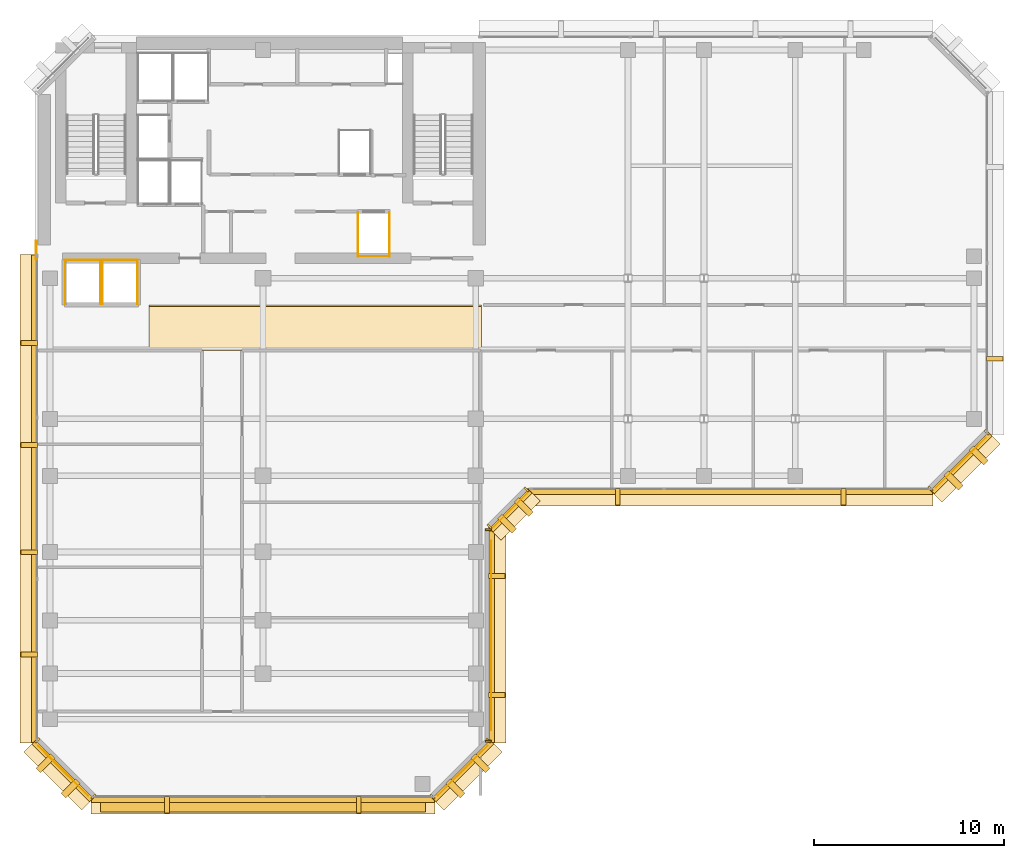
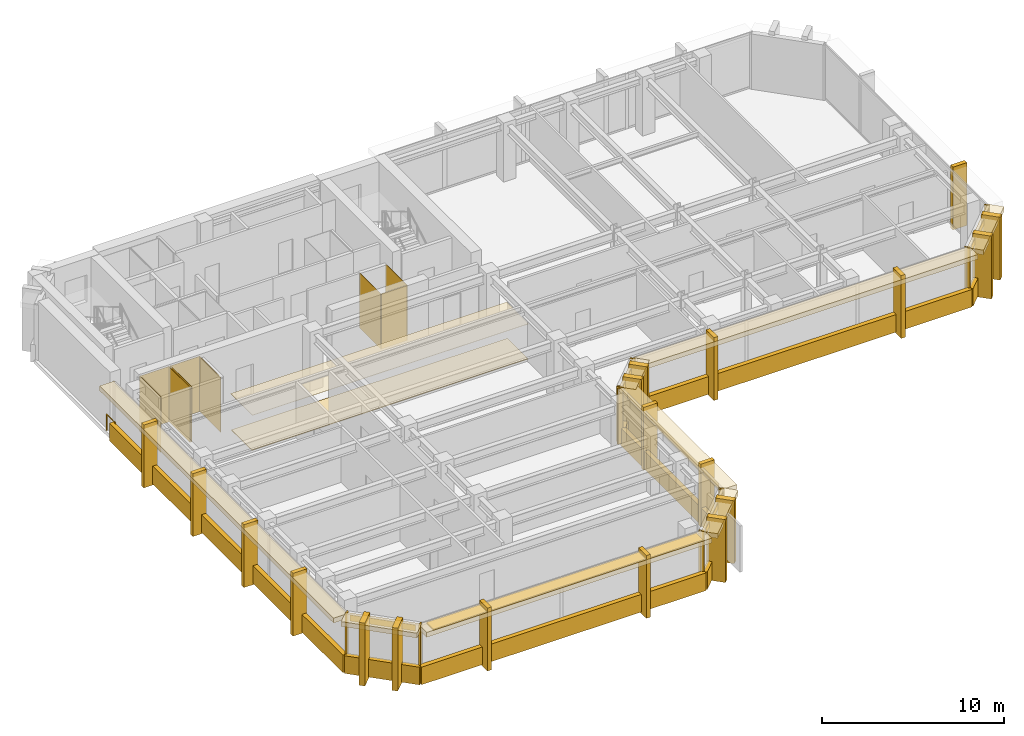
# One storey, part 9 of 12: 61 coverings, 1 railing, 1 shading device.
"""IFC4 building model written with IfcOpenShell, lengths in metres."""

from ifc_helpers import new_model, si_unit, direction, frame, origin, origin_2d, place, context, subcontext, project, spatial, polyline, rectangle, circle, outline, extrude, material, layer, layer_set, type_object, element, save


model = new_model("IFC4")

# Units and contexts
model_context = context("Model", 3, precision=1e-05, world=origin(), true_north=direction((0.0, 1.0)))
body_context = subcontext(model_context, "Body", "Model", "MODEL_VIEW")
ifc_project = project(units=[si_unit("LENGTHUNIT", "METRE"), si_unit("AREAUNIT", "SQUARE_METRE"), si_unit("VOLUMEUNIT", "CUBIC_METRE"), si_unit("PLANEANGLEUNIT", "RADIAN"), si_unit("MASSUNIT", "GRAM", prefix="KILO")], contexts=[model_context])

# Site, building, storey
site_placement = place(None, origin())
site = spatial("IfcSite", under=ifc_project, at=site_placement, CompositionType="ELEMENT")
building_placement = place(site_placement, origin())
building = spatial("IfcBuilding", under=site, at=building_placement, Name="Kefirva Bronze Tower", CompositionType="ELEMENT")
storey_placement = place(building_placement, frame((0.0, 0.0, 260.3701171875)))
storey = spatial("IfcBuildingStorey", under=building, at=storey_placement, Name="L63", CompositionType="ELEMENT", Elevation=260.3701171875)

# Coverings
ifc_material_1 = material(Name="Acoustic mineral tile")
ifc_layer_1 = layer(ifc_material_1, 0.02490234375, Name="Acoustic mineral tile")
ifc_layer_set_1 = layer_set([ifc_layer_1], Name="Acoustic mineral tile")
covering_type_1 = type_object("IfcCoveringType", Name="Acoustic Mineral Suspended Ceiling 25mm", PredefinedType="CEILING", material=ifc_layer_set_1)
covering_1_placement = place(storey_placement, frame((0.0, 0.0, 2.39990234375)))
element("IfcCovering", 1, at=covering_1_placement, inside=storey, type_object=covering_type_1, Name="L63 Corridor Acoustic Ceiling", PredefinedType="CEILING", context=body_context, shape_type="SweptSolid", body=[
    extrude(outline(polyline([(6.0, 29.39990234375), (23.5, 29.39990234375), (23.5, 31.800048828125), (6.0, 31.800048828125), (6.0, 29.39990234375)])), origin(), (0.0, 0.0, 1.0), 0.02490234375),
])
ifc_material_2 = material(Name="Bronze anodised aluminium", Category="aluminium")
ifc_layer_2 = layer(ifc_material_2, 0.02001953125, Name="Bronze anodised aluminium")
ifc_layer_set_2 = layer_set([ifc_layer_2], Name="Bronze anodised aluminium")
covering_type_2 = type_object("IfcCoveringType", Name="Anodised Bronze Spandrel Cladding 20mm", PredefinedType="CLADDING", material=ifc_layer_set_2)
covering_2_placement = place(storey_placement, frame((12.0, 5.760009765625, -0.16015625), z_axis=(0.0, 0.0, 1.0), x_axis=(1.0, 0.0, 0.0)))
element("IfcCovering", 2, at=covering_2_placement, inside=storey, type_object=covering_type_2, Name="L63 Streamline Horizontal Spandrel Band 0", PredefinedType="CLADDING", context=body_context, shape_type="SweptSolid", body=[
    extrude(rectangle(XDim=18.0400390625, YDim=0.280029296875, at=origin_2d()), origin(), (0.0, 0.0, 1.0), 1.179931640625),
])
covering_3_placement = place(storey_placement, frame((22.507080078125, 7.29296875, 3.2900390625), z_axis=(0.0, 0.0, 1.0), x_axis=(0.707106781187, 0.707106781187, 0.0)))
element("IfcCovering", 3, at=covering_3_placement, inside=storey, type_object=covering_type_2, Name="L63 Bronze Spandrel Cladding 1", PredefinedType="CLADDING", context=body_context, shape_type="SweptSolid", body=[
    extrude(rectangle(XDim=3.719482421875, YDim=0.02001953125, at=origin_2d()), origin(), (0.0, 0.0, 1.0), 0.39990234375),
])
for number, where, z_axis, x_axis, name in (
    (4, (20.91162109375, 5.93798828125, 0.0), (0.0, 0.0, 1.0), (0.707106781187, 0.707106781187, 0.0), "L63 Facade Joint Closure Panel 1S"),
    (5, (23.862060546875, 8.88818359375, 0.0), (0.0, 0.0, 1.0), (0.707106781187, 0.707106781187, 0.0), "L63 Facade Joint Closure Panel 1E"),
):
    element("IfcCovering", number, at=place(storey_placement, frame(where, z_axis=z_axis, x_axis=x_axis)), inside=storey, type_object=covering_type_2, Name=name, PredefinedType="CLADDING", context=body_context, shape_type="SweptSolid", body=[
        extrude(rectangle(XDim=0.10009765625, YDim=0.320068359375, at=origin_2d()), origin(), (0.0, 0.0, 1.0), 3.7099609375),
    ])
covering_4_placement = place(storey_placement, frame((22.5283203125, 7.271728515625, -0.16015625), z_axis=(0.0, 0.0, 1.0), x_axis=(0.707106781187, 0.707106781187, 0.0)))
element("IfcCovering", 6, at=covering_4_placement, inside=storey, type_object=covering_type_2, Name="L63 Streamline Horizontal Spandrel Band 1", PredefinedType="CLADDING", context=body_context, shape_type="SweptSolid", body=[
    extrude(rectangle(XDim=4.28271484375, YDim=0.280029296875, at=origin_2d()), origin(), (0.0, 0.0, 1.0), 1.179931640625),
])
covering_5_placement = place(storey_placement, frame((24.010009765625, 14.39990234375, 3.2900390625), z_axis=(0.0, 0.0, 1.0), x_axis=(0.0, 1.0, 0.0)))
element("IfcCovering", 7, at=covering_5_placement, inside=storey, type_object=covering_type_2, Name="L63 Bronze Spandrel Cladding 2", PredefinedType="CLADDING", context=body_context, shape_type="SweptSolid", body=[
    extrude(rectangle(XDim=9.98095703125, YDim=0.02001953125, at=origin_2d()), origin(), (0.0, 0.0, 1.0), 0.39990234375),
])
for number, where, z_axis, x_axis, name in (
    (8, (23.840087890625, 8.8349609375, 0.0), (0.0, 0.0, 1.0), (0.0, 1.0, 0.0), "L63 Facade Joint Closure Panel 2S"),
    (9, (23.840087890625, 19.965087890625, 0.0), (0.0, 0.0, 1.0), (0.0, 1.0, 0.0), "L63 Facade Joint Closure Panel 2E"),
):
    element("IfcCovering", number, at=place(storey_placement, frame(where, z_axis=z_axis, x_axis=x_axis)), inside=storey, type_object=covering_type_2, Name=name, PredefinedType="CLADDING", context=body_context, shape_type="SweptSolid", body=[
        extrude(rectangle(XDim=0.10009765625, YDim=0.320068359375, at=origin_2d()), origin(), (0.0, 0.0, 1.0), 3.7099609375),
    ])
covering_6_placement = place(storey_placement, frame((24.0400390625, 14.39990234375, -0.16015625), z_axis=(0.0, 0.0, 1.0), x_axis=(0.0, 1.0, 0.0)))
element("IfcCovering", 10, at=covering_6_placement, inside=storey, type_object=covering_type_2, Name="L63 Streamline Horizontal Spandrel Band 2", PredefinedType="CLADDING", context=body_context, shape_type="SweptSolid", body=[
    extrude(rectangle(XDim=11.239990234375, YDim=0.280029296875, at=origin_2d()), origin(), (0.0, 0.0, 1.0), 1.179931640625),
])
covering_7_placement = place(storey_placement, frame((25.007080078125, 20.992919921875, 3.2900390625), z_axis=(0.0, 0.0, 1.0), x_axis=(0.707106781187, 0.707106781187, 0.0)))
element("IfcCovering", 11, at=covering_7_placement, inside=storey, type_object=covering_type_2, Name="L63 Bronze Spandrel Cladding 3", PredefinedType="CLADDING", context=body_context, shape_type="SweptSolid", body=[
    extrude(rectangle(XDim=2.446533203125, YDim=0.02001953125, at=origin_2d()), origin(), (0.0, 0.0, 1.0), 0.39990234375),
])
for number, where, z_axis, x_axis, name in (
    (12, (23.91162109375, 20.137939453125, 0.0), (0.0, 0.0, 1.0), (0.707106781187, 0.707106781187, 0.0), "L63 Facade Joint Closure Panel 3S"),
    (13, (25.862060546875, 22.08837890625, 0.0), (0.0, 0.0, 1.0), (0.707106781187, 0.707106781187, 0.0), "L63 Facade Joint Closure Panel 3E"),
):
    element("IfcCovering", number, at=place(storey_placement, frame(where, z_axis=z_axis, x_axis=x_axis)), inside=storey, type_object=covering_type_2, Name=name, PredefinedType="CLADDING", context=body_context, shape_type="SweptSolid", body=[
        extrude(rectangle(XDim=0.10009765625, YDim=0.320068359375, at=origin_2d()), origin(), (0.0, 0.0, 1.0), 3.7099609375),
    ])
covering_8_placement = place(storey_placement, frame((25.0283203125, 20.9716796875, -0.16015625), z_axis=(0.0, 0.0, 1.0), x_axis=(0.707106781187, 0.707106781187, 0.0)))
element("IfcCovering", 14, at=covering_8_placement, inside=storey, type_object=covering_type_2, Name="L63 Streamline Horizontal Spandrel Band 3", PredefinedType="CLADDING", context=body_context, shape_type="SweptSolid", body=[
    extrude(rectangle(XDim=2.868408203125, YDim=0.280029296875, at=origin_2d()), origin(), (0.0, 0.0, 1.0), 1.179931640625),
])
covering_9_placement = place(storey_placement, frame((36.60009765625, 21.9599609375, -0.16015625), z_axis=(0.0, 0.0, 1.0), x_axis=(1.0, 0.0, 0.0)))
element("IfcCovering", 15, at=covering_9_placement, inside=storey, type_object=covering_type_2, Name="L63 Streamline Horizontal Spandrel Band 4", PredefinedType="CLADDING", context=body_context, shape_type="SweptSolid", body=[
    extrude(rectangle(XDim=21.239990234375, YDim=0.280029296875, at=origin_2d()), origin(), (0.0, 0.0, 1.0), 1.179931640625),
])
covering_10_placement = place(storey_placement, frame((48.70703125, 23.492919921875, 3.2900390625), z_axis=(0.0, 0.0, 1.0), x_axis=(0.707106781187, 0.707106781187, 0.0)))
element("IfcCovering", 16, at=covering_10_placement, inside=storey, type_object=covering_type_2, Name="L63 Bronze Spandrel Cladding 4", PredefinedType="CLADDING", context=body_context, shape_type="SweptSolid", body=[
    extrude(rectangle(XDim=3.719482421875, YDim=0.02001953125, at=origin_2d()), origin(), (0.0, 0.0, 1.0), 0.39990234375),
])
for number, where, z_axis, x_axis, name in (
    (17, (47.11181640625, 22.137939453125, 0.0), (0.0, 0.0, 1.0), (0.707106781187, 0.707106781187, 0.0), "L63 Facade Joint Closure Panel 4S"),
    (18, (50.06201171875, 25.08837890625, 0.0), (0.0, 0.0, 1.0), (0.707106781187, 0.707106781187, 0.0), "L63 Facade Joint Closure Panel 4E"),
):
    element("IfcCovering", number, at=place(storey_placement, frame(where, z_axis=z_axis, x_axis=x_axis)), inside=storey, type_object=covering_type_2, Name=name, PredefinedType="CLADDING", context=body_context, shape_type="SweptSolid", body=[
        extrude(rectangle(XDim=0.10009765625, YDim=0.320068359375, at=origin_2d()), origin(), (0.0, 0.0, 1.0), 3.7099609375),
    ])
covering_11_placement = place(storey_placement, frame((48.728271484375, 23.4716796875, -0.16015625), z_axis=(0.0, 0.0, 1.0), x_axis=(0.707106781187, 0.707106781187, 0.0)))
element("IfcCovering", 19, at=covering_11_placement, inside=storey, type_object=covering_type_2, Name="L63 Streamline Horizontal Spandrel Band 5", PredefinedType="CLADDING", context=body_context, shape_type="SweptSolid", body=[
    extrude(rectangle(XDim=4.28271484375, YDim=0.280029296875, at=origin_2d()), origin(), (0.0, 0.0, 1.0), 1.179931640625),
])
covering_12_placement = place(storey_placement, frame((-0.0400390625, 21.597412109375, -0.16015625), z_axis=(0.0, 0.0, 1.0), x_axis=(0.0, -1.0, 0.0)))
element("IfcCovering", 20, at=covering_12_placement, inside=storey, type_object=covering_type_2, Name="L63 Streamline Horizontal Spandrel Band 10", PredefinedType="CLADDING", context=body_context, shape_type="SweptSolid", body=[
    extrude(rectangle(XDim=25.635009765625, YDim=0.280029296875, at=origin_2d()), origin(), (0.0, 0.0, 1.0), 1.179931640625),
])
covering_13_placement = place(storey_placement, frame((1.492919921875, 7.29296875, 3.2900390625), z_axis=(0.0, 0.0, 1.0), x_axis=(0.707106781187, -0.707106781187, 0.0)))
element("IfcCovering", 21, at=covering_13_placement, inside=storey, type_object=covering_type_2, Name="L63 Bronze Spandrel Cladding 7", PredefinedType="CLADDING", context=body_context, shape_type="SweptSolid", body=[
    extrude(rectangle(XDim=3.719482421875, YDim=0.02001953125, at=origin_2d()), origin(), (0.0, 0.0, 1.0), 0.39990234375),
])
for number, where, z_axis, x_axis, name in (
    (22, (0.137939453125, 8.88818359375, 0.0), (0.0, 0.0, 1.0), (0.707106781187, -0.707106781187, 0.0), "L63 Facade Joint Closure Panel 7S"),
    (23, (3.08837890625, 5.93798828125, 0.0), (0.0, 0.0, 1.0), (0.707106781187, -0.707106781187, 0.0), "L63 Facade Joint Closure Panel 7E"),
):
    element("IfcCovering", number, at=place(storey_placement, frame(where, z_axis=z_axis, x_axis=x_axis)), inside=storey, type_object=covering_type_2, Name=name, PredefinedType="CLADDING", context=body_context, shape_type="SweptSolid", body=[
        extrude(rectangle(XDim=0.10009765625, YDim=0.320068359375, at=origin_2d()), origin(), (0.0, 0.0, 1.0), 3.7099609375),
    ])
covering_14_placement = place(storey_placement, frame((1.4716796875, 7.271728515625, -0.16015625), z_axis=(0.0, 0.0, 1.0), x_axis=(0.707106781187, -0.707106781187, 0.0)))
element("IfcCovering", 24, at=covering_14_placement, inside=storey, type_object=covering_type_2, Name="L63 Streamline Horizontal Spandrel Band 11", PredefinedType="CLADDING", context=body_context, shape_type="SweptSolid", body=[
    extrude(rectangle(XDim=4.28271484375, YDim=0.280029296875, at=origin_2d()), origin(), (0.0, 0.0, 1.0), 1.179931640625),
])
covering_15_placement = place(storey_placement, origin())
element("IfcCovering", 25, at=covering_15_placement, inside=storey, type_object=covering_type_2, Name="L63 Lift OB1 Hoistway Liner N", PredefinedType="CLADDING", context=body_context, shape_type="SweptSolid", body=[
    extrude(outline(polyline([(1.580078125, 34.139892578125), (3.469970703125, 34.139892578125), (3.469970703125, 34.159912109375), (1.580078125, 34.159912109375), (1.580078125, 34.139892578125)])), origin(), (0.0, 0.0, 1.0), 3.7099609375),
])
covering_16_placement = place(storey_placement, origin())
element("IfcCovering", 26, at=covering_16_placement, inside=storey, type_object=covering_type_2, Name="L63 Lift OB1 Hoistway Liner W", PredefinedType="CLADDING", context=body_context, shape_type="SweptSolid", body=[
    extrude(outline(polyline([(1.590087890625, 31.830078125), (1.610107421875, 31.830078125), (1.610107421875, 34.169921875), (1.590087890625, 34.169921875), (1.590087890625, 31.830078125)])), origin(), (0.0, 0.0, 1.0), 3.7099609375),
])
covering_17_placement = place(storey_placement, origin())
element("IfcCovering", 27, at=covering_17_placement, inside=storey, type_object=covering_type_2, Name="L63 Lift OB1 Hoistway Liner E", PredefinedType="CLADDING", context=body_context, shape_type="SweptSolid", body=[
    extrude(outline(polyline([(3.43994140625, 31.830078125), (3.4599609375, 31.830078125), (3.4599609375, 34.169921875), (3.43994140625, 34.169921875), (3.43994140625, 31.830078125)])), origin(), (0.0, 0.0, 1.0), 3.7099609375),
])
covering_18_placement = place(storey_placement, origin())
element("IfcCovering", 28, at=covering_18_placement, inside=storey, type_object=covering_type_2, Name="L63 Lift OB2 Hoistway Liner N", PredefinedType="CLADDING", context=body_context, shape_type="SweptSolid", body=[
    extrude(outline(polyline([(3.530029296875, 34.139892578125), (5.419921875, 34.139892578125), (5.419921875, 34.159912109375), (3.530029296875, 34.159912109375), (3.530029296875, 34.139892578125)])), origin(), (0.0, 0.0, 1.0), 3.7099609375),
])
covering_19_placement = place(storey_placement, origin())
element("IfcCovering", 29, at=covering_19_placement, inside=storey, type_object=covering_type_2, Name="L63 Lift OB2 Hoistway Liner W", PredefinedType="CLADDING", context=body_context, shape_type="SweptSolid", body=[
    extrude(outline(polyline([(3.5400390625, 31.830078125), (3.56005859375, 31.830078125), (3.56005859375, 34.169921875), (3.5400390625, 34.169921875), (3.5400390625, 31.830078125)])), origin(), (0.0, 0.0, 1.0), 3.7099609375),
])
covering_20_placement = place(storey_placement, origin())
element("IfcCovering", 30, at=covering_20_placement, inside=storey, type_object=covering_type_2, Name="L63 Lift OB2 Hoistway Liner E", PredefinedType="CLADDING", context=body_context, shape_type="SweptSolid", body=[
    extrude(outline(polyline([(5.389892578125, 31.830078125), (5.409912109375, 31.830078125), (5.409912109375, 34.169921875), (5.389892578125, 34.169921875), (5.389892578125, 31.830078125)])), origin(), (0.0, 0.0, 1.0), 3.7099609375),
])
covering_21_placement = place(storey_placement, origin())
element("IfcCovering", 31, at=covering_21_placement, inside=storey, type_object=covering_type_2, Name="L63 Lift HP1 Hoistway Liner S", PredefinedType="CLADDING", context=body_context, shape_type="SweptSolid", body=[
    extrude(outline(polyline([(16.97998046875, 34.340087890625), (18.669921875, 34.340087890625), (18.669921875, 34.360107421875), (16.97998046875, 34.360107421875), (16.97998046875, 34.340087890625)])), origin(), (0.0, 0.0, 1.0), 3.7099609375),
])
covering_22_placement = place(storey_placement, origin())
element("IfcCovering", 32, at=covering_22_placement, inside=storey, type_object=covering_type_2, Name="L63 Lift HP1 Hoistway Liner W", PredefinedType="CLADDING", context=body_context, shape_type="SweptSolid", body=[
    extrude(outline(polyline([(16.989990234375, 34.330078125), (17.010009765625, 34.330078125), (17.010009765625, 36.669921875), (16.989990234375, 36.669921875), (16.989990234375, 34.330078125)])), origin(), (0.0, 0.0, 1.0), 3.7099609375),
])
covering_23_placement = place(storey_placement, origin())
element("IfcCovering", 33, at=covering_23_placement, inside=storey, type_object=covering_type_2, Name="L63 Lift HP1 Hoistway Liner E", PredefinedType="CLADDING", context=body_context, shape_type="SweptSolid", body=[
    extrude(outline(polyline([(18.639892578125, 34.330078125), (18.659912109375, 34.330078125), (18.659912109375, 36.669921875), (18.639892578125, 36.669921875), (18.639892578125, 34.330078125)])), origin(), (0.0, 0.0, 1.0), 3.7099609375),
])

# Shading device
ifc_layer_3 = layer(ifc_material_2, 0.090087890625, Name="Bronze anodised aluminium")
ifc_layer_set_3 = layer_set([ifc_layer_3], Name="Bronze anodised aluminium")
shading_device_type = type_object("IfcShadingDeviceType", Name="Horizontal Bronze Sunshade Band 750mm", PredefinedType="JALOUSIE", material=ifc_layer_set_3)
shading_device_placement = place(storey_placement, frame((12.0, 5.5048828125, 3.60498046875), z_axis=(0.0, 0.0, 1.0), x_axis=(1.0, 0.0, 0.0)))
element("IfcShadingDevice", 34, at=shading_device_placement, inside=storey, type_object=shading_device_type, Name="L63 Horizontal Bronze Sunshade Band 0", PredefinedType="JALOUSIE", context=body_context, shape_type="SweptSolid", body=[
    extrude(rectangle(XDim=17.090087890625, YDim=0.75, at=origin_2d()), origin(), (0.0, 0.0, 1.0), 0.090087890625),
])

# Railing
ifc_material_3 = material(Name="Stainless steel 316", Category="steel")
railing_type = type_object("IfcRailingType", Name="Interior Stair Guardrail 1100mm", PredefinedType="GUARDRAIL", material=ifc_material_3)
railing_placement = place(storey_placement, frame((0.080078125, 34.199951171875, 0.0)))
element("IfcRailing", 35, at=railing_placement, inside=storey, type_object=railing_type, Name="L63 West Core Junction Guardrail", PredefinedType="GUARDRAIL", context=body_context, shape_type="SweptSolid", body=[
    extrude(circle(Radius=0.02392578125, at=origin_2d()), frame((0.0, 0.0, 1.076171875), z_axis=(0.0, 1.0, 0.0), x_axis=(-1.0, 0.0, 0.0)), (0.0, 0.0, 1.0), 0.949951171875),
    extrude(circle(Radius=0.02099609375, at=origin_2d()), origin(), (0.0, 0.0, 1.0), 1.052001953125),
    extrude(circle(Radius=0.02099609375, at=origin_2d()), frame((0.0, 0.949951171875, 0.0)), (0.0, 0.0, 1.0), 1.052001953125),
])

# Coverings
ifc_material_4 = material(Name="Calcium sulphate access tile")
ifc_layer_4 = layer(ifc_material_4, 0.044921875, Name="Calcium sulphate access tile")
ifc_layer_set_4 = layer_set([ifc_layer_4], Name="Calcium sulphate access tile")
covering_type_3 = type_object("IfcCoveringType", Name="Raised Access Office Flooring 45mm", PredefinedType="FLOORING", material=ifc_layer_set_4)
covering_24_placement = place(storey_placement, origin())
element("IfcCovering", 36, at=covering_24_placement, inside=storey, type_object=covering_type_3, Name="L63 Architectural Finish Flooring", PredefinedType="FLOORING", context=body_context, shape_type="SweptSolid", body=[
    extrude(outline(polyline([(6.0, 29.47998046875), (23.5, 29.47998046875), (23.5, 31.719970703125), (6.0, 31.719970703125), (6.0, 29.47998046875)])), origin(), (0.0, 0.0, 1.0), 0.044921875),
])
ifc_layer_5 = layer(ifc_material_2, 0.179931640625, Name="Bronze anodised aluminium")
ifc_layer_set_5 = layer_set([ifc_layer_5], Name="Bronze anodised aluminium")
covering_type_4 = type_object("IfcCoveringType", Name="Streamline Bronze Sunshade Eyebrow Cladding 180mm", PredefinedType="CLADDING", material=ifc_layer_set_5)
covering_25_placement = place(storey_placement, frame((12.0, 5.489990234375, 3.3896484375), z_axis=(0.0, 0.0, 1.0), x_axis=(1.0, 0.0, 0.0)))
element("IfcCovering", 37, at=covering_25_placement, inside=storey, type_object=covering_type_4, Name="L63 Streamline Bronze Sunshade Eyebrow 0", PredefinedType="CLADDING", context=body_context, shape_type="SweptSolid", body=[
    extrude(rectangle(XDim=18.080078125, YDim=0.93994140625, at=origin_2d()), origin(), (0.0, 0.0, 1.0), 0.320068359375),
])
covering_26_placement = place(storey_placement, frame((22.71923828125, 7.080810546875, 3.3896484375), z_axis=(0.0, 0.0, 1.0), x_axis=(0.707106781187, 0.707106781187, 0.0)))
element("IfcCovering", 38, at=covering_26_placement, inside=storey, type_object=covering_type_4, Name="L63 Streamline Bronze Sunshade Eyebrow 1", PredefinedType="CLADDING", context=body_context, shape_type="SweptSolid", body=[
    extrude(rectangle(XDim=4.322509765625, YDim=0.93994140625, at=origin_2d()), origin(), (0.0, 0.0, 1.0), 0.320068359375),
])
covering_27_placement = place(storey_placement, frame((24.31005859375, 14.39990234375, 3.3896484375), z_axis=(0.0, 0.0, 1.0), x_axis=(0.0, 1.0, 0.0)))
element("IfcCovering", 39, at=covering_27_placement, inside=storey, type_object=covering_type_4, Name="L63 Streamline Bronze Sunshade Eyebrow 2", PredefinedType="CLADDING", context=body_context, shape_type="SweptSolid", body=[
    extrude(rectangle(XDim=11.280029296875, YDim=0.93994140625, at=origin_2d()), origin(), (0.0, 0.0, 1.0), 0.320068359375),
])
covering_28_placement = place(storey_placement, frame((25.21923828125, 20.78076171875, 3.3896484375), z_axis=(0.0, 0.0, 1.0), x_axis=(0.707106781187, 0.707106781187, 0.0)))
element("IfcCovering", 40, at=covering_28_placement, inside=storey, type_object=covering_type_4, Name="L63 Streamline Bronze Sunshade Eyebrow 3", PredefinedType="CLADDING", context=body_context, shape_type="SweptSolid", body=[
    extrude(rectangle(XDim=2.908447265625, YDim=0.93994140625, at=origin_2d()), origin(), (0.0, 0.0, 1.0), 0.320068359375),
])
covering_29_placement = place(storey_placement, frame((36.60009765625, 21.68994140625, 3.3896484375), z_axis=(0.0, 0.0, 1.0), x_axis=(1.0, 0.0, 0.0)))
element("IfcCovering", 41, at=covering_29_placement, inside=storey, type_object=covering_type_4, Name="L63 Streamline Bronze Sunshade Eyebrow 4", PredefinedType="CLADDING", context=body_context, shape_type="SweptSolid", body=[
    extrude(rectangle(XDim=21.280029296875, YDim=0.93994140625, at=origin_2d()), origin(), (0.0, 0.0, 1.0), 0.320068359375),
])
covering_30_placement = place(storey_placement, frame((48.919189453125, 23.28076171875, 3.3896484375), z_axis=(0.0, 0.0, 1.0), x_axis=(0.707106781187, 0.707106781187, 0.0)))
element("IfcCovering", 42, at=covering_30_placement, inside=storey, type_object=covering_type_4, Name="L63 Streamline Bronze Sunshade Eyebrow 5", PredefinedType="CLADDING", context=body_context, shape_type="SweptSolid", body=[
    extrude(rectangle(XDim=4.322509765625, YDim=0.93994140625, at=origin_2d()), origin(), (0.0, 0.0, 1.0), 0.320068359375),
])
covering_31_placement = place(storey_placement, frame((-0.31005859375, 21.597412109375, 3.3896484375), z_axis=(0.0, 0.0, 1.0), x_axis=(0.0, -1.0, 0.0)))
element("IfcCovering", 43, at=covering_31_placement, inside=storey, type_object=covering_type_4, Name="L63 Streamline Bronze Sunshade Eyebrow 10", PredefinedType="CLADDING", context=body_context, shape_type="SweptSolid", body=[
    extrude(rectangle(XDim=25.675048828125, YDim=0.93994140625, at=origin_2d()), origin(), (0.0, 0.0, 1.0), 0.320068359375),
])
covering_32_placement = place(storey_placement, frame((1.28076171875, 7.080810546875, 3.3896484375), z_axis=(0.0, 0.0, 1.0), x_axis=(0.707106781187, -0.707106781187, 0.0)))
element("IfcCovering", 44, at=covering_32_placement, inside=storey, type_object=covering_type_4, Name="L63 Streamline Bronze Sunshade Eyebrow 11", PredefinedType="CLADDING", context=body_context, shape_type="SweptSolid", body=[
    extrude(rectangle(XDim=4.322509765625, YDim=0.93994140625, at=origin_2d()), origin(), (0.0, 0.0, 1.0), 0.320068359375),
])
ifc_layer_6 = layer(ifc_material_2, 0.260009765625, Name="Bronze anodised aluminium")
ifc_layer_set_6 = layer_set([ifc_layer_6], Name="Bronze anodised aluminium")
covering_type_5 = type_object("IfcCoveringType", Name="Unbroken Bronze Buttress Fin Cladding 260mm", PredefinedType="CLADDING", material=ifc_layer_set_6)
for number, where, z_axis, x_axis, name in (
    (45, (6.9599609375, 5.5, -0.25), (0.0, 0.0, 1.0), (1.0, 0.0, 0.0), "L63 Unbroken Vertical Bronze Rib Fin 1"),
    (46, (17.0400390625, 5.5, -0.25), (0.0, 0.0, 1.0), (1.0, 0.0, 0.0), "L63 Unbroken Vertical Bronze Rib Fin 2"),
):
    element("IfcCovering", number, at=place(storey_placement, frame(where, z_axis=z_axis, x_axis=x_axis)), inside=storey, type_object=covering_type_5, Name=name, PredefinedType="CLADDING", context=body_context, shape_type="SweptSolid", body=[
        extrude(rectangle(XDim=0.260009765625, YDim=0.8798828125, at=origin_2d()), origin(), (0.0, 0.0, 1.0), 4.2099609375),
    ])
for number, where, z_axis, x_axis, name in (
    (47, (22.122802734375, 6.357177734375, -0.25), (0.0, 0.0, 1.0), (0.707106781187, 0.707106781187, 0.0), "L63 Chamfered Corner Buttress Fin Cladding 3"),
    (48, (23.44287109375, 7.67724609375, -0.25), (0.0, 0.0, 1.0), (0.707106781187, 0.707106781187, 0.0), "L63 Chamfered Corner Buttress Fin Cladding 4"),
):
    element("IfcCovering", number, at=place(storey_placement, frame(where, z_axis=z_axis, x_axis=x_axis)), inside=storey, type_object=covering_type_5, Name=name, PredefinedType="CLADDING", context=body_context, shape_type="SweptSolid", body=[
        extrude(rectangle(XDim=0.340087890625, YDim=1.080078125, at=origin_2d()), origin(), (0.0, 0.0, 1.0), 4.2099609375),
    ])
for number, where, z_axis, x_axis, name in (
    (49, (24.300048828125, 11.263916015625, -0.25), (0.0, 0.0, 1.0), (0.0, 1.0, 0.0), "L63 Unbroken Vertical Bronze Rib Fin 5"),
    (50, (24.300048828125, 17.535888671875, -0.25), (0.0, 0.0, 1.0), (0.0, 1.0, 0.0), "L63 Unbroken Vertical Bronze Rib Fin 6"),
):
    element("IfcCovering", number, at=place(storey_placement, frame(where, z_axis=z_axis, x_axis=x_axis)), inside=storey, type_object=covering_type_5, Name=name, PredefinedType="CLADDING", context=body_context, shape_type="SweptSolid", body=[
        extrude(rectangle(XDim=0.260009765625, YDim=0.8798828125, at=origin_2d()), origin(), (0.0, 0.0, 1.0), 4.2099609375),
    ])
for number, where, z_axis, x_axis, name in (
    (51, (24.8427734375, 20.277099609375, -0.25), (0.0, 0.0, 1.0), (0.707106781187, 0.707106781187, 0.0), "L63 Chamfered Corner Buttress Fin Cladding 7"),
    (52, (25.722900390625, 21.1572265625, -0.25), (0.0, 0.0, 1.0), (0.707106781187, 0.707106781187, 0.0), "L63 Chamfered Corner Buttress Fin Cladding 8"),
):
    element("IfcCovering", number, at=place(storey_placement, frame(where, z_axis=z_axis, x_axis=x_axis)), inside=storey, type_object=covering_type_5, Name=name, PredefinedType="CLADDING", context=body_context, shape_type="SweptSolid", body=[
        extrude(rectangle(XDim=0.340087890625, YDim=1.080078125, at=origin_2d()), origin(), (0.0, 0.0, 1.0), 4.2099609375),
    ])
for number, where, z_axis, x_axis, name in (
    (53, (30.6640625, 21.699951171875, -0.25), (0.0, 0.0, 1.0), (1.0, 0.0, 0.0), "L63 Unbroken Vertical Bronze Rib Fin 9"),
    (54, (42.535888671875, 21.699951171875, -0.25), (0.0, 0.0, 1.0), (1.0, 0.0, 0.0), "L63 Unbroken Vertical Bronze Rib Fin 10"),
):
    element("IfcCovering", number, at=place(storey_placement, frame(where, z_axis=z_axis, x_axis=x_axis)), inside=storey, type_object=covering_type_5, Name=name, PredefinedType="CLADDING", context=body_context, shape_type="SweptSolid", body=[
        extrude(rectangle(XDim=0.260009765625, YDim=0.8798828125, at=origin_2d()), origin(), (0.0, 0.0, 1.0), 4.2099609375),
    ])
for number, where, z_axis, x_axis, name in (
    (55, (48.32275390625, 22.55712890625, -0.25), (0.0, 0.0, 1.0), (0.707106781187, 0.707106781187, 0.0), "L63 Chamfered Corner Buttress Fin Cladding 11"),
    (56, (49.642822265625, 23.877197265625, -0.25), (0.0, 0.0, 1.0), (0.707106781187, 0.707106781187, 0.0), "L63 Chamfered Corner Buttress Fin Cladding 12"),
):
    element("IfcCovering", number, at=place(storey_placement, frame(where, z_axis=z_axis, x_axis=x_axis)), inside=storey, type_object=covering_type_5, Name=name, PredefinedType="CLADDING", context=body_context, shape_type="SweptSolid", body=[
        extrude(rectangle(XDim=0.340087890625, YDim=1.080078125, at=origin_2d()), origin(), (0.0, 0.0, 1.0), 4.2099609375),
    ])
for number, where, z_axis, x_axis, name in (
    (57, (50.5, 28.9599609375, -0.25), (0.0, 0.0, 1.0), (0.0, 1.0, 0.0), "L63 Unbroken Vertical Bronze Rib Fin 13"),
    (58, (-0.300048828125, 29.787841796875, -0.25), (0.0, 0.0, 1.0), (0.0, -1.0, 0.0), "L63 Unbroken Vertical Bronze Rib Fin 23"),
    (59, (-0.300048828125, 24.4130859375, -0.25), (0.0, 0.0, 1.0), (0.0, -1.0, 0.0), "L63 Unbroken Vertical Bronze Rib Fin 24"),
    (60, (-0.300048828125, 18.781982421875, -0.25), (0.0, 0.0, 1.0), (0.0, -1.0, 0.0), "L63 Unbroken Vertical Bronze Rib Fin 25"),
    (61, (-0.300048828125, 13.406982421875, -0.25), (0.0, 0.0, 1.0), (0.0, -1.0, 0.0), "L63 Unbroken Vertical Bronze Rib Fin 26"),
):
    element("IfcCovering", number, at=place(storey_placement, frame(where, z_axis=z_axis, x_axis=x_axis)), inside=storey, type_object=covering_type_5, Name=name, PredefinedType="CLADDING", context=body_context, shape_type="SweptSolid", body=[
        extrude(rectangle(XDim=0.260009765625, YDim=0.8798828125, at=origin_2d()), origin(), (0.0, 0.0, 1.0), 4.2099609375),
    ])
for number, where, z_axis, x_axis, name in (
    (62, (0.55712890625, 7.67724609375, -0.25), (0.0, 0.0, 1.0), (0.707106781187, -0.707106781187, 0.0), "L63 Chamfered Corner Buttress Fin Cladding 27"),
    (63, (1.877197265625, 6.357177734375, -0.25), (0.0, 0.0, 1.0), (0.707106781187, -0.707106781187, 0.0), "L63 Chamfered Corner Buttress Fin Cladding 28"),
):
    element("IfcCovering", number, at=place(storey_placement, frame(where, z_axis=z_axis, x_axis=x_axis)), inside=storey, type_object=covering_type_5, Name=name, PredefinedType="CLADDING", context=body_context, shape_type="SweptSolid", body=[
        extrude(rectangle(XDim=0.340087890625, YDim=1.080078125, at=origin_2d()), origin(), (0.0, 0.0, 1.0), 4.2099609375),
    ])

save(model, "model.ifc")
